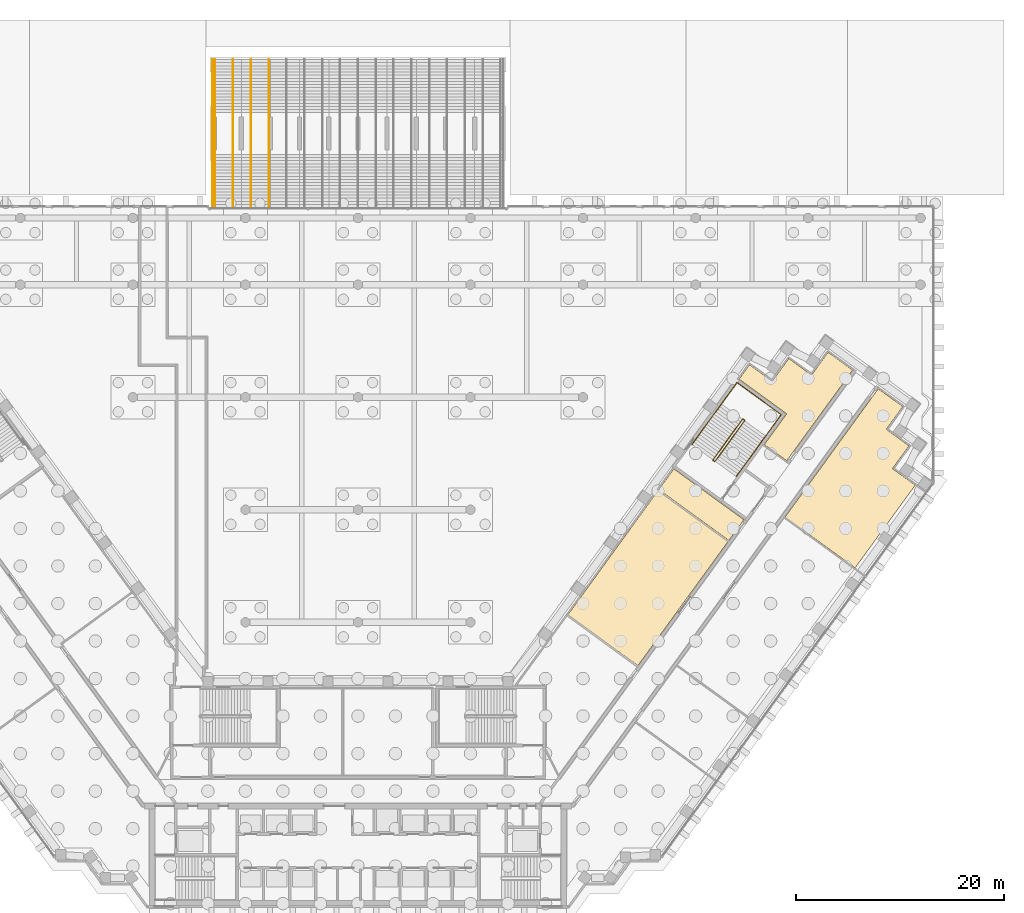
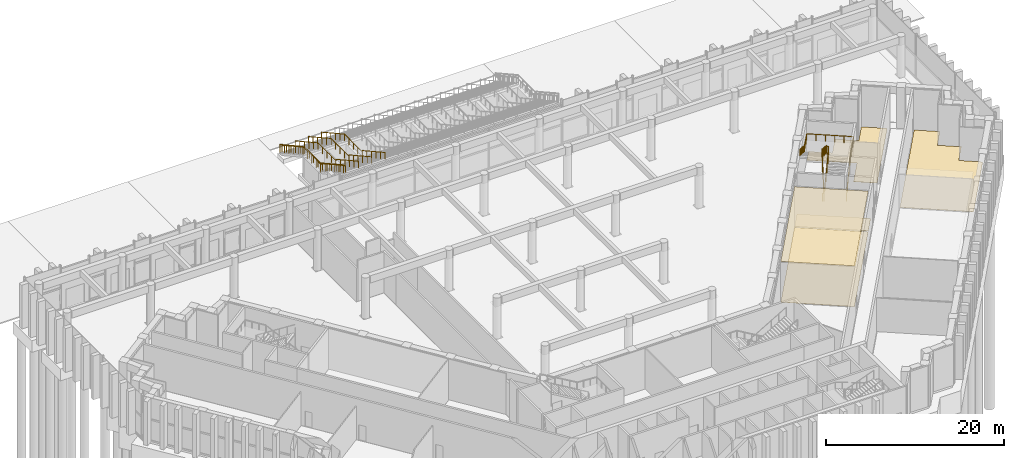
# One storey, part 29 of 32: 7 railings, 5 coverings.
"""IFC4 building model written with IfcOpenShell, lengths in metres."""

from ifc_helpers import new_model, si_unit, direction, frame, origin, origin_2d, place, context, subcontext, project, spatial, polyline, circle, outline, extrude, material, layer, layer_set, type_object, element, save


model = new_model("IFC4")

# Units and contexts
model_context = context("Model", 3, precision=1e-05, world=origin(), true_north=direction((0.0, 1.0)))
body_context = subcontext(model_context, "Body", "Model", "MODEL_VIEW")
ifc_project = project(units=[si_unit("LENGTHUNIT", "METRE"), si_unit("AREAUNIT", "SQUARE_METRE"), si_unit("VOLUMEUNIT", "CUBIC_METRE"), si_unit("PLANEANGLEUNIT", "RADIAN"), si_unit("MASSUNIT", "GRAM", prefix="KILO")], contexts=[model_context])

# Site, building, storey
site_placement = place(None, origin())
site = spatial("IfcSite", under=ifc_project, at=site_placement, CompositionType="ELEMENT")
building_placement = place(site_placement, origin())
building = spatial("IfcBuilding", under=site, at=building_placement, Name="Quipu Civic Tower", CompositionType="ELEMENT")
storey_placement = place(building_placement, origin())
storey = spatial("IfcBuildingStorey", under=building, at=storey_placement, Name="L00", CompositionType="ELEMENT", Elevation=0.0)

# Coverings
ifc_material_1 = material(Name="Mineral fibre acoustic ceiling tile")
ifc_layer_1 = layer(ifc_material_1, 0.0400390625)
ifc_layer_set_1 = layer_set([ifc_layer_1], Name="Mineral fibre acoustic ceiling tile")
covering_type_1 = type_object("IfcCoveringType", Name="Acoustic ceiling tile 600 x 600", PredefinedType="CEILING", material=ifc_layer_set_1)
covering_1_placement = place(storey_placement, frame((0.0, 0.0, 5.56005859375)))
element("IfcCovering", 1, at=covering_1_placement, inside=storey, type_object=covering_type_1, Name="Acoustic ceiling tile 600 x 600", PredefinedType="CEILING", context=body_context, shape_type="SweptSolid", body=[
    extrude(outline(polyline([(20.14404296875, 16.9208984375), (28.7900390625, 28.822021484375), (35.512939453125, 23.93896484375), (26.866943359375, 12.0380859375), (20.14404296875, 16.9208984375)])), origin(), (0.0, 0.0, 1.0), 0.0400390625),
])
ifc_material_2 = material(Name="Carpet tile on raised access floor")
ifc_layer_2 = layer(ifc_material_2, 0.02001953125)
ifc_layer_set_2 = layer_set([ifc_layer_2], Name="Carpet tile on raised access floor")
covering_type_2 = type_object("IfcCoveringType", Name="Carpet tile floor finish 20", PredefinedType="FLOORING", material=ifc_layer_set_2)
covering_2_placement = place(storey_placement, origin())
element("IfcCovering", 2, at=covering_2_placement, inside=storey, type_object=covering_type_2, Name="Carpet tile floor finish 20", PredefinedType="FLOORING", context=body_context, shape_type="SweptSolid", body=[
    extrude(outline(polyline([(36.570068359375, 39.530029296875), (37.574951171875, 40.9130859375), (39.760009765625, 39.326904296875), (41.345947265625, 41.510986328125), (43.530029296875, 39.924072265625), (45.116943359375, 42.10791015625), (47.471923828125, 40.39794921875), (41.15087890625, 31.697021484375), (38.998046875, 33.260009765625), (41.139892578125, 36.208984375), (36.570068359375, 39.530029296875)])), origin(), (0.0, 0.0, 1.0), 0.02001953125),
])
covering_3_placement = place(storey_placement, origin())
element("IfcCovering", 3, at=covering_3_placement, inside=storey, type_object=covering_type_2, Name="Carpet tile floor finish 20", PredefinedType="FLOORING", context=body_context, shape_type="SweptSolid", body=[
    extrude(outline(polyline([(40.988037109375, 26.301025390625), (49.930908203125, 38.611083984375), (52.284912109375, 36.90087890625), (50.698974609375, 34.717041015625), (52.883056640625, 33.12890625), (51.297119140625, 30.945068359375), (53.47998046875, 29.35791015625), (47.7119140625, 21.41796875), (40.988037109375, 26.301025390625)])), origin(), (0.0, 0.0, 1.0), 0.02001953125),
])
covering_4_placement = place(storey_placement, origin())
element("IfcCovering", 4, at=covering_4_placement, inside=storey, type_object=covering_type_2, Name="Carpet tile floor finish 20", PredefinedType="FLOORING", context=body_context, shape_type="SweptSolid", body=[
    extrude(outline(polyline([(20.14404296875, 16.9208984375), (28.7900390625, 28.822021484375), (35.512939453125, 23.93896484375), (26.866943359375, 12.0380859375), (20.14404296875, 16.9208984375)])), origin(), (0.0, 0.0, 1.0), 0.02001953125),
])
ifc_material_3 = material(Name="Sealed cement screed")
ifc_layer_3 = layer(ifc_material_3, 0.050048828125)
ifc_layer_set_3 = layer_set([ifc_layer_3], Name="Sealed cement screed")
covering_type_3 = type_object("IfcCoveringType", Name="Sealed screed floor finish 50", PredefinedType="FLOORING", material=ifc_layer_set_3)
covering_5_placement = place(storey_placement, origin())
element("IfcCovering", 5, at=covering_5_placement, inside=storey, type_object=covering_type_3, Name="Sealed screed floor finish 50", PredefinedType="FLOORING", context=body_context, shape_type="SweptSolid", body=[
    extrude(outline(polyline([(28.873046875, 28.93505859375), (30.31494140625, 30.922119140625), (37.0380859375, 26.0380859375), (35.595947265625, 24.052001953125), (28.873046875, 28.93505859375)])), origin(), (0.0, 0.0, 1.0), 0.050048828125),
])

# Railings
ifc_material_4 = material(Name="Stainless steel", Category="steel")
railing_type_1 = type_object("IfcRailingType", Name="Stair guard 1100", PredefinedType="GUARDRAIL", material=ifc_material_4)
railing_1_placement = place(storey_placement, frame((34.28125, 31.650390625, 0.176513671875)))
element("IfcRailing", 6, at=railing_1_placement, inside=storey, type_object=railing_type_1, Name="Stair 7 guard", PredefinedType="GUARDRAIL", context=body_context, shape_type="SweptSolid", body=[
    extrude(circle(Radius=0.02392578125, at=origin_2d()), frame((0.0, 0.0, 1.076171875), z_axis=(0.506622290629, 0.697329019968, 0.507016856276), x_axis=(-0.809026317077, 0.587772420479, 0.0)), (0.0, 0.0, 1.0), 5.56884765625),
    extrude(circle(Radius=0.02392578125, at=origin_2d()), frame((2.8212890625, 3.88330078125, 3.8994140625), z_axis=(-0.155430446612, 0.987846838465, 0.0), x_axis=(-0.987846838465, -0.155430446612, 0.0)), (0.0, 0.0, 1.0), 0.07080078125),
    extrude(circle(Radius=0.02392578125, at=origin_2d()), frame((2.810302734375, 3.953125, 3.8994140625), z_axis=(-0.809649071907, 0.586914287065, 0.0), x_axis=(-0.586914287065, -0.809649071907, 0.0)), (0.0, 0.0, 1.0), 0.150146484375),
    extrude(circle(Radius=0.02392578125, at=origin_2d()), frame((2.688720703125, 4.041259765625, 3.8994140625), z_axis=(-0.367225414408, -0.057780222547, 0.928335575584), x_axis=(0.155430446612, -0.987846838465, 0.0)), (0.0, 0.0, 1.0), 0.190185546875),
    extrude(circle(Radius=0.02392578125, at=origin_2d()), frame((2.618896484375, 4.0302734375, 4.076171875), z_axis=(-0.506622290629, -0.697329019968, 0.507016856276), x_axis=(0.809026317077, -0.587772420479, 0.0)), (0.0, 0.0, 1.0), 5.56884765625),
    extrude(circle(Radius=0.02392578125, at=origin_2d()), frame((-0.202392578125, 0.14697265625, 6.8994140625), z_axis=(0.02204104197, -0.026310985525, -0.99941078867), x_axis=(0.766567769536, 0.642163417448, 0.0)), (0.0, 0.0, 1.0), 6.00341796875),
    extrude(circle(Radius=0.02392578125, at=origin_2d()), frame((-0.070068359375, -0.010986328125, 0.8994140625), z_axis=(-0.809087927272, 0.587687609145, 0.0), x_axis=(-0.587687609145, -0.809087927272, 0.0)), (0.0, 0.0, 1.0), 0.14990234375),
    extrude(circle(Radius=0.02099609375, at=origin_2d()), origin(), (0.0, 0.0, 1.0), 1.052001953125),
    extrude(circle(Radius=0.02099609375, at=origin_2d()), frame((0.564208984375, 0.776611328125, 0.564697265625)), (0.0, 0.0, 1.0), 1.052001953125),
    extrude(circle(Radius=0.02099609375, at=origin_2d()), frame((1.12841796875, 1.55322265625, 1.12939453125)), (0.0, 0.0, 1.0), 1.052001953125),
    extrude(circle(Radius=0.02099609375, at=origin_2d()), frame((1.69287109375, 2.330078125, 1.694091796875)), (0.0, 0.0, 1.0), 1.052001953125),
    extrude(circle(Radius=0.02099609375, at=origin_2d()), frame((2.257080078125, 3.106689453125, 2.2587890625)), (0.0, 0.0, 1.0), 1.052001953125),
    extrude(circle(Radius=0.02099609375, at=origin_2d()), frame((2.8212890625, 3.88330078125, 2.823486328125)), (0.0, 0.0, 1.0), 1.052001953125),
    extrude(circle(Radius=0.02099609375, at=origin_2d()), frame((2.810302734375, 3.953125, 2.823486328125)), (0.0, 0.0, 1.0), 1.052001953125),
    extrude(circle(Radius=0.02099609375, at=origin_2d()), frame((2.688720703125, 4.041259765625, 2.823486328125)), (0.0, 0.0, 1.0), 1.052001953125),
    extrude(circle(Radius=0.02099609375, at=origin_2d()), frame((2.618896484375, 4.0302734375, 3.0)), (0.0, 0.0, 1.0), 1.052001953125),
    extrude(circle(Radius=0.02099609375, at=origin_2d()), frame((2.0546875, 3.253662109375, 3.564697265625)), (0.0, 0.0, 1.0), 1.052001953125),
    extrude(circle(Radius=0.02099609375, at=origin_2d()), frame((1.490478515625, 2.47705078125, 4.12939453125)), (0.0, 0.0, 1.0), 1.052001953125),
    extrude(circle(Radius=0.02099609375, at=origin_2d()), frame((0.926025390625, 1.7001953125, 4.694091796875)), (0.0, 0.0, 1.0), 1.052001953125),
    extrude(circle(Radius=0.02099609375, at=origin_2d()), frame((0.36181640625, 0.923583984375, 5.2587890625)), (0.0, 0.0, 1.0), 1.052001953125),
    extrude(circle(Radius=0.02099609375, at=origin_2d()), frame((-0.202392578125, 0.14697265625, 5.823486328125)), (0.0, 0.0, 1.0), 1.052001953125),
    extrude(circle(Radius=0.02099609375, at=origin_2d()), frame((-0.180419921875, 0.12060546875, 4.823486328125)), (0.0, 0.0, 1.0), 1.052001953125),
    extrude(circle(Radius=0.02099609375, at=origin_2d()), frame((-0.158203125, 0.09423828125, 3.823486328125)), (0.0, 0.0, 1.0), 1.052001953125),
    extrude(circle(Radius=0.02099609375, at=origin_2d()), frame((-0.13623046875, 0.06787109375, 2.823486328125)), (0.0, 0.0, 1.0), 1.052001953125),
    extrude(circle(Radius=0.02099609375, at=origin_2d()), frame((-0.1142578125, 0.041748046875, 1.823486328125)), (0.0, 0.0, 1.0), 1.052001953125),
    extrude(circle(Radius=0.02099609375, at=origin_2d()), frame((-0.092041015625, 0.015380859375, 0.823486328125)), (0.0, 0.0, 1.0), 1.052001953125),
    extrude(circle(Radius=0.02099609375, at=origin_2d()), frame((-0.070068359375, -0.010986328125, -0.176513671875)), (0.0, 0.0, 1.0), 1.052001953125),
    extrude(circle(Radius=0.02099609375, at=origin_2d()), frame((-0.19140625, 0.0771484375, -0.176513671875)), (0.0, 0.0, 1.0), 1.052001953125),
])
railing_2_placement = place(storey_placement, frame((-13.949951171875, 70.199951171875, 0.166748046875)))
element("IfcRailing", 7, at=railing_2_placement, inside=storey, type_object=railing_type_1, Name="Broad stair guard", PredefinedType="GUARDRAIL", context=body_context, shape_type="SweptSolid", body=[
    extrude(circle(Radius=0.02392578125, at=origin_2d()), frame((0.0, 0.0, 1.076171875), z_axis=(0.0, -0.874157276122, 0.485642931179), x_axis=(1.0, 0.0, 0.0)), (0.0, 0.0, 1.0), 5.833984375),
    extrude(circle(Radius=0.02392578125, at=origin_2d()), frame((0.0, -5.099853515625, 3.9091796875), z_axis=(0.0, -1.0, 0.0), x_axis=(1.0, 0.0, 0.0)), (0.0, 0.0, 1.0), 4.0),
    extrude(circle(Radius=0.02392578125, at=origin_2d()), frame((0.0, -9.099853515625, 3.9091796875), z_axis=(0.0, 0.0, 1.0), x_axis=(1.0, 0.0, 0.0)), (0.0, 0.0, 1.0), 0.166748046875),
    extrude(circle(Radius=0.02392578125, at=origin_2d()), frame((0.0, -9.099853515625, 4.076171875), z_axis=(0.0, -0.874167145328, 0.485625166182), x_axis=(1.0, 0.0, 0.0)), (0.0, 0.0, 1.0), 5.834228515625),
    extrude(circle(Radius=0.02099609375, at=origin_2d()), origin(), (0.0, 0.0, 1.0), 1.052001953125),
    extrude(circle(Radius=0.02099609375, at=origin_2d()), frame((0.0, -1.02001953125, 0.566650390625)), (0.0, 0.0, 1.0), 1.052001953125),
    extrude(circle(Radius=0.02099609375, at=origin_2d()), frame((0.0, -2.0400390625, 1.13330078125)), (0.0, 0.0, 1.0), 1.052001953125),
    extrude(circle(Radius=0.02099609375, at=origin_2d()), frame((0.0, -3.059814453125, 1.699951171875)), (0.0, 0.0, 1.0), 1.052001953125),
    extrude(circle(Radius=0.02099609375, at=origin_2d()), frame((0.0, -4.079833984375, 2.2666015625)), (0.0, 0.0, 1.0), 1.052001953125),
    extrude(circle(Radius=0.02099609375, at=origin_2d()), frame((0.0, -5.099853515625, 2.833251953125)), (0.0, 0.0, 1.0), 1.052001953125),
    extrude(circle(Radius=0.02099609375, at=origin_2d()), frame((0.0, -6.099853515625, 2.833251953125)), (0.0, 0.0, 1.0), 1.052001953125),
    extrude(circle(Radius=0.02099609375, at=origin_2d()), frame((0.0, -7.099853515625, 2.833251953125)), (0.0, 0.0, 1.0), 1.052001953125),
    extrude(circle(Radius=0.02099609375, at=origin_2d()), frame((0.0, -8.099853515625, 2.833251953125)), (0.0, 0.0, 1.0), 1.052001953125),
    extrude(circle(Radius=0.02099609375, at=origin_2d()), frame((0.0, -9.099853515625, 2.833251953125)), (0.0, 0.0, 1.0), 1.052001953125),
    extrude(circle(Radius=0.02099609375, at=origin_2d()), frame((0.0, -9.099853515625, 3.0)), (0.0, 0.0, 1.0), 1.052001953125),
    extrude(circle(Radius=0.02099609375, at=origin_2d()), frame((0.0, -10.119873046875, 3.566650390625)), (0.0, 0.0, 1.0), 1.052001953125),
    extrude(circle(Radius=0.02099609375, at=origin_2d()), frame((0.0, -11.139892578125, 4.13330078125)), (0.0, 0.0, 1.0), 1.052001953125),
    extrude(circle(Radius=0.02099609375, at=origin_2d()), frame((0.0, -12.159912109375, 4.699951171875)), (0.0, 0.0, 1.0), 1.052001953125),
    extrude(circle(Radius=0.02099609375, at=origin_2d()), frame((0.0, -13.179931640625, 5.2666015625)), (0.0, 0.0, 1.0), 1.052001953125),
    extrude(circle(Radius=0.02099609375, at=origin_2d()), frame((0.0, -14.199951171875, 5.833251953125)), (0.0, 0.0, 1.0), 1.052001953125),
])
ifc_material_5 = material(Name="Stainless steel", Category="steel")
railing_type_2 = type_object("IfcRailingType", Name="Stair handrail", PredefinedType="HANDRAIL", material=ifc_material_5)
railing_3_placement = place(storey_placement, frame((36.3037109375, 30.180908203125, 0.176513671875)))
element("IfcRailing", 8, at=railing_3_placement, inside=storey, type_object=railing_type_2, Name="Stair 7 handrail", PredefinedType="HANDRAIL", context=body_context, shape_type="SweptSolid", body=[
    extrude(circle(Radius=0.02392578125, at=origin_2d()), frame((0.0, 0.0, 0.8759765625), z_axis=(0.506622290629, 0.697329019968, 0.507016856276), x_axis=(-0.809026317077, 0.587772420479, 0.0)), (0.0, 0.0, 1.0), 5.56884765625),
    extrude(circle(Radius=0.02392578125, at=origin_2d()), frame((2.8212890625, 3.88330078125, 3.69921875), z_axis=(0.587767432704, 0.809029940764, 0.0), x_axis=(-0.809029940764, 0.587767432704, 0.0)), (0.0, 0.0, 1.0), 2.550048828125),
    extrude(circle(Radius=0.02392578125, at=origin_2d()), frame((4.320068359375, 5.9462890625, 3.69921875), z_axis=(-0.809009483706, 0.587795589702, 0.0), x_axis=(-0.587795589702, -0.809009483706, 0.0)), (0.0, 0.0, 1.0), 5.25),
    extrude(circle(Radius=0.02392578125, at=origin_2d()), frame((0.07275390625, 9.0322265625, 3.69921875), z_axis=(-0.586364261901, -0.80709855238, 0.069057071405), x_axis=(0.809029940764, -0.587767432704, 0.0)), (0.0, 0.0, 1.0), 2.55615234375),
    extrude(circle(Radius=0.02392578125, at=origin_2d()), frame((-1.426025390625, 6.96923828125, 3.8759765625), z_axis=(-0.506622290629, -0.697329019968, 0.507016856276), x_axis=(0.809026317077, -0.587772420479, 0.0)), (0.0, 0.0, 1.0), 5.56884765625),
    extrude(circle(Radius=0.02099609375, at=origin_2d()), origin(), (0.0, 0.0, 1.0), 0.851806640625),
    extrude(circle(Radius=0.02099609375, at=origin_2d()), frame((0.564208984375, 0.776611328125, 0.564697265625)), (0.0, 0.0, 1.0), 0.851806640625),
    extrude(circle(Radius=0.02099609375, at=origin_2d()), frame((1.12841796875, 1.55322265625, 1.12939453125)), (0.0, 0.0, 1.0), 0.851806640625),
    extrude(circle(Radius=0.02099609375, at=origin_2d()), frame((1.69287109375, 2.330078125, 1.694091796875)), (0.0, 0.0, 1.0), 0.851806640625),
    extrude(circle(Radius=0.02099609375, at=origin_2d()), frame((2.257080078125, 3.106689453125, 2.2587890625)), (0.0, 0.0, 1.0), 0.851806640625),
    extrude(circle(Radius=0.02099609375, at=origin_2d()), frame((2.8212890625, 3.88330078125, 2.823486328125)), (0.0, 0.0, 1.0), 0.851806640625),
    extrude(circle(Radius=0.02099609375, at=origin_2d()), frame((3.32080078125, 4.571044921875, 2.823486328125)), (0.0, 0.0, 1.0), 0.851806640625),
    extrude(circle(Radius=0.02099609375, at=origin_2d()), frame((3.820556640625, 5.258544921875, 2.823486328125)), (0.0, 0.0, 1.0), 0.851806640625),
    extrude(circle(Radius=0.02099609375, at=origin_2d()), frame((4.320068359375, 5.9462890625, 2.823486328125)), (0.0, 0.0, 1.0), 0.851806640625),
    extrude(circle(Radius=0.02099609375, at=origin_2d()), frame((3.470703125, 6.5634765625, 2.823486328125)), (0.0, 0.0, 1.0), 0.851806640625),
    extrude(circle(Radius=0.02099609375, at=origin_2d()), frame((2.62109375, 7.1806640625, 2.823486328125)), (0.0, 0.0, 1.0), 0.851806640625),
    extrude(circle(Radius=0.02099609375, at=origin_2d()), frame((1.771728515625, 7.7978515625, 2.823486328125)), (0.0, 0.0, 1.0), 0.851806640625),
    extrude(circle(Radius=0.02099609375, at=origin_2d()), frame((0.922119140625, 8.4150390625, 2.823486328125)), (0.0, 0.0, 1.0), 0.851806640625),
    extrude(circle(Radius=0.02099609375, at=origin_2d()), frame((0.07275390625, 9.0322265625, 2.823486328125)), (0.0, 0.0, 1.0), 0.851806640625),
    extrude(circle(Radius=0.02099609375, at=origin_2d()), frame((-0.4267578125, 8.344482421875, 2.88232421875)), (0.0, 0.0, 1.0), 0.851806640625),
    extrude(circle(Radius=0.02099609375, at=origin_2d()), frame((-0.926513671875, 7.656982421875, 2.941162109375)), (0.0, 0.0, 1.0), 0.851806640625),
    extrude(circle(Radius=0.02099609375, at=origin_2d()), frame((-1.426025390625, 6.96923828125, 3.0)), (0.0, 0.0, 1.0), 0.851806640625),
    extrude(circle(Radius=0.02099609375, at=origin_2d()), frame((-1.990234375, 6.192626953125, 3.564697265625)), (0.0, 0.0, 1.0), 0.851806640625),
    extrude(circle(Radius=0.02099609375, at=origin_2d()), frame((-2.554443359375, 5.416015625, 4.12939453125)), (0.0, 0.0, 1.0), 0.851806640625),
    extrude(circle(Radius=0.02099609375, at=origin_2d()), frame((-3.118896484375, 4.63916015625, 4.694091796875)), (0.0, 0.0, 1.0), 0.851806640625),
    extrude(circle(Radius=0.02099609375, at=origin_2d()), frame((-3.68310546875, 3.862548828125, 5.2587890625)), (0.0, 0.0, 1.0), 0.851806640625),
    extrude(circle(Radius=0.02099609375, at=origin_2d()), frame((-4.247314453125, 3.0859375, 5.823486328125)), (0.0, 0.0, 1.0), 0.851806640625),
])
railing_4_placement = place(storey_placement, frame((-13.699951171875, 70.199951171875, 0.166748046875)))
element("IfcRailing", 9, at=railing_4_placement, inside=storey, type_object=railing_type_2, Name="Broad stair handrail", PredefinedType="HANDRAIL", context=body_context, shape_type="SweptSolid", body=[
    extrude(circle(Radius=0.02392578125, at=origin_2d()), frame((0.0, 0.0, 0.8759765625), z_axis=(0.0, -0.874157276122, 0.485642931179), x_axis=(1.0, 0.0, 0.0)), (0.0, 0.0, 1.0), 5.833984375),
    extrude(circle(Radius=0.02392578125, at=origin_2d()), frame((0.0, -5.099853515625, 3.708984375), z_axis=(0.0, -1.0, 0.0), x_axis=(1.0, 0.0, 0.0)), (0.0, 0.0, 1.0), 4.0),
    extrude(circle(Radius=0.02392578125, at=origin_2d()), frame((0.0, -9.099853515625, 3.708984375), z_axis=(0.0, 0.0, 1.0), x_axis=(1.0, 0.0, 0.0)), (0.0, 0.0, 1.0), 0.166748046875),
    extrude(circle(Radius=0.02392578125, at=origin_2d()), frame((0.0, -9.099853515625, 3.8759765625), z_axis=(0.0, -0.874167145328, 0.485625166182), x_axis=(1.0, 0.0, 0.0)), (0.0, 0.0, 1.0), 5.834228515625),
    extrude(circle(Radius=0.02099609375, at=origin_2d()), origin(), (0.0, 0.0, 1.0), 0.851806640625),
    extrude(circle(Radius=0.02099609375, at=origin_2d()), frame((0.0, -1.02001953125, 0.566650390625)), (0.0, 0.0, 1.0), 0.851806640625),
    extrude(circle(Radius=0.02099609375, at=origin_2d()), frame((0.0, -2.0400390625, 1.13330078125)), (0.0, 0.0, 1.0), 0.851806640625),
    extrude(circle(Radius=0.02099609375, at=origin_2d()), frame((0.0, -3.059814453125, 1.699951171875)), (0.0, 0.0, 1.0), 0.851806640625),
    extrude(circle(Radius=0.02099609375, at=origin_2d()), frame((0.0, -4.079833984375, 2.2666015625)), (0.0, 0.0, 1.0), 0.851806640625),
    extrude(circle(Radius=0.02099609375, at=origin_2d()), frame((0.0, -5.099853515625, 2.833251953125)), (0.0, 0.0, 1.0), 0.851806640625),
    extrude(circle(Radius=0.02099609375, at=origin_2d()), frame((0.0, -6.099853515625, 2.833251953125)), (0.0, 0.0, 1.0), 0.851806640625),
    extrude(circle(Radius=0.02099609375, at=origin_2d()), frame((0.0, -7.099853515625, 2.833251953125)), (0.0, 0.0, 1.0), 0.851806640625),
    extrude(circle(Radius=0.02099609375, at=origin_2d()), frame((0.0, -8.099853515625, 2.833251953125)), (0.0, 0.0, 1.0), 0.851806640625),
    extrude(circle(Radius=0.02099609375, at=origin_2d()), frame((0.0, -9.099853515625, 2.833251953125)), (0.0, 0.0, 1.0), 0.851806640625),
    extrude(circle(Radius=0.02099609375, at=origin_2d()), frame((0.0, -9.099853515625, 3.0)), (0.0, 0.0, 1.0), 0.851806640625),
    extrude(circle(Radius=0.02099609375, at=origin_2d()), frame((0.0, -10.119873046875, 3.566650390625)), (0.0, 0.0, 1.0), 0.851806640625),
    extrude(circle(Radius=0.02099609375, at=origin_2d()), frame((0.0, -11.139892578125, 4.13330078125)), (0.0, 0.0, 1.0), 0.851806640625),
    extrude(circle(Radius=0.02099609375, at=origin_2d()), frame((0.0, -12.159912109375, 4.699951171875)), (0.0, 0.0, 1.0), 0.851806640625),
    extrude(circle(Radius=0.02099609375, at=origin_2d()), frame((0.0, -13.179931640625, 5.2666015625)), (0.0, 0.0, 1.0), 0.851806640625),
    extrude(circle(Radius=0.02099609375, at=origin_2d()), frame((0.0, -14.199951171875, 5.833251953125)), (0.0, 0.0, 1.0), 0.851806640625),
])
railing_5_placement = place(storey_placement, frame((-11.987548828125, 70.199951171875, 0.166748046875)))
element("IfcRailing", 10, at=railing_5_placement, inside=storey, type_object=railing_type_2, Name="Broad stair handrail", PredefinedType="HANDRAIL", context=body_context, shape_type="SweptSolid", body=[
    extrude(circle(Radius=0.02392578125, at=origin_2d()), frame((0.0, 0.0, 0.8759765625), z_axis=(0.0, -0.874157276122, 0.485642931179), x_axis=(1.0, 0.0, 0.0)), (0.0, 0.0, 1.0), 5.833984375),
    extrude(circle(Radius=0.02392578125, at=origin_2d()), frame((0.0, -5.099853515625, 3.708984375), z_axis=(0.0, -1.0, 0.0), x_axis=(1.0, 0.0, 0.0)), (0.0, 0.0, 1.0), 4.0),
    extrude(circle(Radius=0.02392578125, at=origin_2d()), frame((0.0, -9.099853515625, 3.708984375), z_axis=(0.0, 0.0, 1.0), x_axis=(1.0, 0.0, 0.0)), (0.0, 0.0, 1.0), 0.166748046875),
    extrude(circle(Radius=0.02392578125, at=origin_2d()), frame((0.0, -9.099853515625, 3.8759765625), z_axis=(0.0, -0.874167145328, 0.485625166182), x_axis=(1.0, 0.0, 0.0)), (0.0, 0.0, 1.0), 5.834228515625),
    extrude(circle(Radius=0.02099609375, at=origin_2d()), origin(), (0.0, 0.0, 1.0), 0.851806640625),
    extrude(circle(Radius=0.02099609375, at=origin_2d()), frame((0.0, -1.02001953125, 0.566650390625)), (0.0, 0.0, 1.0), 0.851806640625),
    extrude(circle(Radius=0.02099609375, at=origin_2d()), frame((0.0, -2.0400390625, 1.13330078125)), (0.0, 0.0, 1.0), 0.851806640625),
    extrude(circle(Radius=0.02099609375, at=origin_2d()), frame((0.0, -3.059814453125, 1.699951171875)), (0.0, 0.0, 1.0), 0.851806640625),
    extrude(circle(Radius=0.02099609375, at=origin_2d()), frame((0.0, -4.079833984375, 2.2666015625)), (0.0, 0.0, 1.0), 0.851806640625),
    extrude(circle(Radius=0.02099609375, at=origin_2d()), frame((0.0, -5.099853515625, 2.833251953125)), (0.0, 0.0, 1.0), 0.851806640625),
    extrude(circle(Radius=0.02099609375, at=origin_2d()), frame((0.0, -6.099853515625, 2.833251953125)), (0.0, 0.0, 1.0), 0.851806640625),
    extrude(circle(Radius=0.02099609375, at=origin_2d()), frame((0.0, -7.099853515625, 2.833251953125)), (0.0, 0.0, 1.0), 0.851806640625),
    extrude(circle(Radius=0.02099609375, at=origin_2d()), frame((0.0, -8.099853515625, 2.833251953125)), (0.0, 0.0, 1.0), 0.851806640625),
    extrude(circle(Radius=0.02099609375, at=origin_2d()), frame((0.0, -9.099853515625, 2.833251953125)), (0.0, 0.0, 1.0), 0.851806640625),
    extrude(circle(Radius=0.02099609375, at=origin_2d()), frame((0.0, -9.099853515625, 3.0)), (0.0, 0.0, 1.0), 0.851806640625),
    extrude(circle(Radius=0.02099609375, at=origin_2d()), frame((0.0, -10.119873046875, 3.566650390625)), (0.0, 0.0, 1.0), 0.851806640625),
    extrude(circle(Radius=0.02099609375, at=origin_2d()), frame((0.0, -11.139892578125, 4.13330078125)), (0.0, 0.0, 1.0), 0.851806640625),
    extrude(circle(Radius=0.02099609375, at=origin_2d()), frame((0.0, -12.159912109375, 4.699951171875)), (0.0, 0.0, 1.0), 0.851806640625),
    extrude(circle(Radius=0.02099609375, at=origin_2d()), frame((0.0, -13.179931640625, 5.2666015625)), (0.0, 0.0, 1.0), 0.851806640625),
    extrude(circle(Radius=0.02099609375, at=origin_2d()), frame((0.0, -14.199951171875, 5.833251953125)), (0.0, 0.0, 1.0), 0.851806640625),
])
railing_6_placement = place(storey_placement, frame((-10.27490234375, 70.199951171875, 0.166748046875)))
element("IfcRailing", 11, at=railing_6_placement, inside=storey, type_object=railing_type_2, Name="Broad stair handrail", PredefinedType="HANDRAIL", context=body_context, shape_type="SweptSolid", body=[
    extrude(circle(Radius=0.02392578125, at=origin_2d()), frame((0.0, 0.0, 0.8759765625), z_axis=(0.0, -0.874157276122, 0.485642931179), x_axis=(1.0, 0.0, 0.0)), (0.0, 0.0, 1.0), 5.833984375),
    extrude(circle(Radius=0.02392578125, at=origin_2d()), frame((0.0, -5.099853515625, 3.708984375), z_axis=(0.0, -1.0, 0.0), x_axis=(1.0, 0.0, 0.0)), (0.0, 0.0, 1.0), 4.0),
    extrude(circle(Radius=0.02392578125, at=origin_2d()), frame((0.0, -9.099853515625, 3.708984375), z_axis=(0.0, 0.0, 1.0), x_axis=(1.0, 0.0, 0.0)), (0.0, 0.0, 1.0), 0.166748046875),
    extrude(circle(Radius=0.02392578125, at=origin_2d()), frame((0.0, -9.099853515625, 3.8759765625), z_axis=(0.0, -0.874167145328, 0.485625166182), x_axis=(1.0, 0.0, 0.0)), (0.0, 0.0, 1.0), 5.834228515625),
    extrude(circle(Radius=0.02099609375, at=origin_2d()), origin(), (0.0, 0.0, 1.0), 0.851806640625),
    extrude(circle(Radius=0.02099609375, at=origin_2d()), frame((0.0, -1.02001953125, 0.566650390625)), (0.0, 0.0, 1.0), 0.851806640625),
    extrude(circle(Radius=0.02099609375, at=origin_2d()), frame((0.0, -2.0400390625, 1.13330078125)), (0.0, 0.0, 1.0), 0.851806640625),
    extrude(circle(Radius=0.02099609375, at=origin_2d()), frame((0.0, -3.059814453125, 1.699951171875)), (0.0, 0.0, 1.0), 0.851806640625),
    extrude(circle(Radius=0.02099609375, at=origin_2d()), frame((0.0, -4.079833984375, 2.2666015625)), (0.0, 0.0, 1.0), 0.851806640625),
    extrude(circle(Radius=0.02099609375, at=origin_2d()), frame((0.0, -5.099853515625, 2.833251953125)), (0.0, 0.0, 1.0), 0.851806640625),
    extrude(circle(Radius=0.02099609375, at=origin_2d()), frame((0.0, -6.099853515625, 2.833251953125)), (0.0, 0.0, 1.0), 0.851806640625),
    extrude(circle(Radius=0.02099609375, at=origin_2d()), frame((0.0, -7.099853515625, 2.833251953125)), (0.0, 0.0, 1.0), 0.851806640625),
    extrude(circle(Radius=0.02099609375, at=origin_2d()), frame((0.0, -8.099853515625, 2.833251953125)), (0.0, 0.0, 1.0), 0.851806640625),
    extrude(circle(Radius=0.02099609375, at=origin_2d()), frame((0.0, -9.099853515625, 2.833251953125)), (0.0, 0.0, 1.0), 0.851806640625),
    extrude(circle(Radius=0.02099609375, at=origin_2d()), frame((0.0, -9.099853515625, 3.0)), (0.0, 0.0, 1.0), 0.851806640625),
    extrude(circle(Radius=0.02099609375, at=origin_2d()), frame((0.0, -10.119873046875, 3.566650390625)), (0.0, 0.0, 1.0), 0.851806640625),
    extrude(circle(Radius=0.02099609375, at=origin_2d()), frame((0.0, -11.139892578125, 4.13330078125)), (0.0, 0.0, 1.0), 0.851806640625),
    extrude(circle(Radius=0.02099609375, at=origin_2d()), frame((0.0, -12.159912109375, 4.699951171875)), (0.0, 0.0, 1.0), 0.851806640625),
    extrude(circle(Radius=0.02099609375, at=origin_2d()), frame((0.0, -13.179931640625, 5.2666015625)), (0.0, 0.0, 1.0), 0.851806640625),
    extrude(circle(Radius=0.02099609375, at=origin_2d()), frame((0.0, -14.199951171875, 5.833251953125)), (0.0, 0.0, 1.0), 0.851806640625),
])
railing_7_placement = place(storey_placement, frame((-8.5625, 70.199951171875, 0.166748046875)))
element("IfcRailing", 12, at=railing_7_placement, inside=storey, type_object=railing_type_2, Name="Broad stair handrail", PredefinedType="HANDRAIL", context=body_context, shape_type="SweptSolid", body=[
    extrude(circle(Radius=0.02392578125, at=origin_2d()), frame((0.0, 0.0, 0.8759765625), z_axis=(0.0, -0.874157276122, 0.485642931179), x_axis=(1.0, 0.0, 0.0)), (0.0, 0.0, 1.0), 5.833984375),
    extrude(circle(Radius=0.02392578125, at=origin_2d()), frame((0.0, -5.099853515625, 3.708984375), z_axis=(0.0, -1.0, 0.0), x_axis=(1.0, 0.0, 0.0)), (0.0, 0.0, 1.0), 4.0),
    extrude(circle(Radius=0.02392578125, at=origin_2d()), frame((0.0, -9.099853515625, 3.708984375), z_axis=(0.0, 0.0, 1.0), x_axis=(1.0, 0.0, 0.0)), (0.0, 0.0, 1.0), 0.166748046875),
    extrude(circle(Radius=0.02392578125, at=origin_2d()), frame((0.0, -9.099853515625, 3.8759765625), z_axis=(0.0, -0.874167145328, 0.485625166182), x_axis=(1.0, 0.0, 0.0)), (0.0, 0.0, 1.0), 5.834228515625),
    extrude(circle(Radius=0.02099609375, at=origin_2d()), origin(), (0.0, 0.0, 1.0), 0.851806640625),
    extrude(circle(Radius=0.02099609375, at=origin_2d()), frame((0.0, -1.02001953125, 0.566650390625)), (0.0, 0.0, 1.0), 0.851806640625),
    extrude(circle(Radius=0.02099609375, at=origin_2d()), frame((0.0, -2.0400390625, 1.13330078125)), (0.0, 0.0, 1.0), 0.851806640625),
    extrude(circle(Radius=0.02099609375, at=origin_2d()), frame((0.0, -3.059814453125, 1.699951171875)), (0.0, 0.0, 1.0), 0.851806640625),
    extrude(circle(Radius=0.02099609375, at=origin_2d()), frame((0.0, -4.079833984375, 2.2666015625)), (0.0, 0.0, 1.0), 0.851806640625),
    extrude(circle(Radius=0.02099609375, at=origin_2d()), frame((0.0, -5.099853515625, 2.833251953125)), (0.0, 0.0, 1.0), 0.851806640625),
    extrude(circle(Radius=0.02099609375, at=origin_2d()), frame((0.0, -6.099853515625, 2.833251953125)), (0.0, 0.0, 1.0), 0.851806640625),
    extrude(circle(Radius=0.02099609375, at=origin_2d()), frame((0.0, -7.099853515625, 2.833251953125)), (0.0, 0.0, 1.0), 0.851806640625),
    extrude(circle(Radius=0.02099609375, at=origin_2d()), frame((0.0, -8.099853515625, 2.833251953125)), (0.0, 0.0, 1.0), 0.851806640625),
    extrude(circle(Radius=0.02099609375, at=origin_2d()), frame((0.0, -9.099853515625, 2.833251953125)), (0.0, 0.0, 1.0), 0.851806640625),
    extrude(circle(Radius=0.02099609375, at=origin_2d()), frame((0.0, -9.099853515625, 3.0)), (0.0, 0.0, 1.0), 0.851806640625),
    extrude(circle(Radius=0.02099609375, at=origin_2d()), frame((0.0, -10.119873046875, 3.566650390625)), (0.0, 0.0, 1.0), 0.851806640625),
    extrude(circle(Radius=0.02099609375, at=origin_2d()), frame((0.0, -11.139892578125, 4.13330078125)), (0.0, 0.0, 1.0), 0.851806640625),
    extrude(circle(Radius=0.02099609375, at=origin_2d()), frame((0.0, -12.159912109375, 4.699951171875)), (0.0, 0.0, 1.0), 0.851806640625),
    extrude(circle(Radius=0.02099609375, at=origin_2d()), frame((0.0, -13.179931640625, 5.2666015625)), (0.0, 0.0, 1.0), 0.851806640625),
    extrude(circle(Radius=0.02099609375, at=origin_2d()), frame((0.0, -14.199951171875, 5.833251953125)), (0.0, 0.0, 1.0), 0.851806640625),
])

save(model, "model.ifc")
